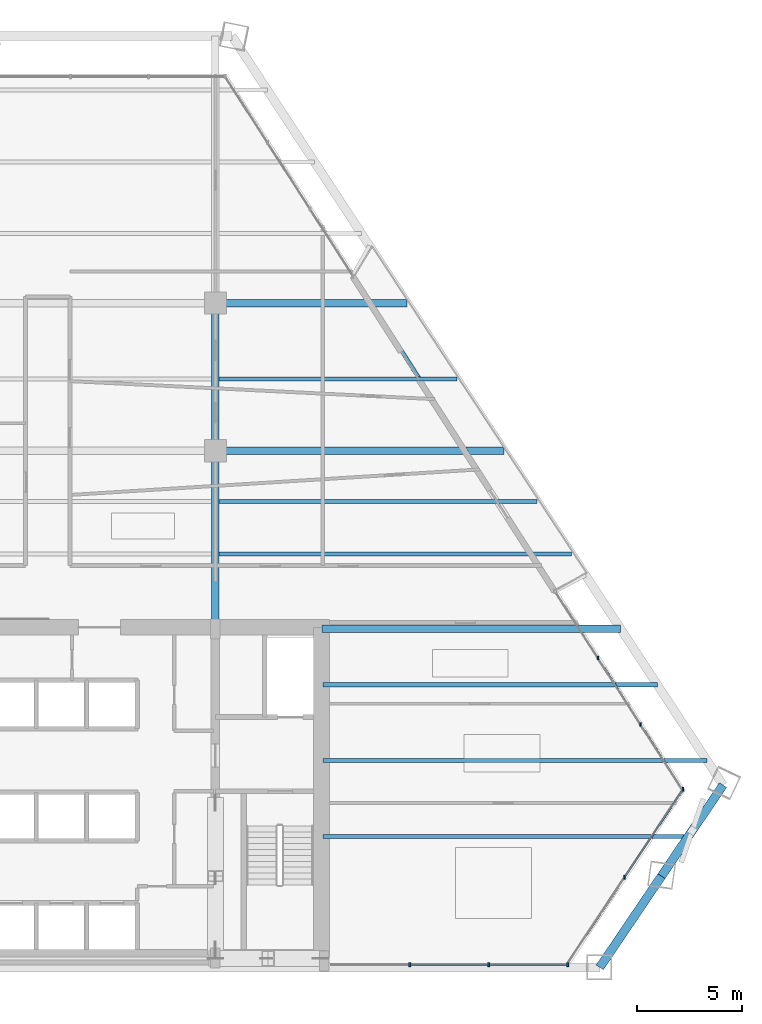
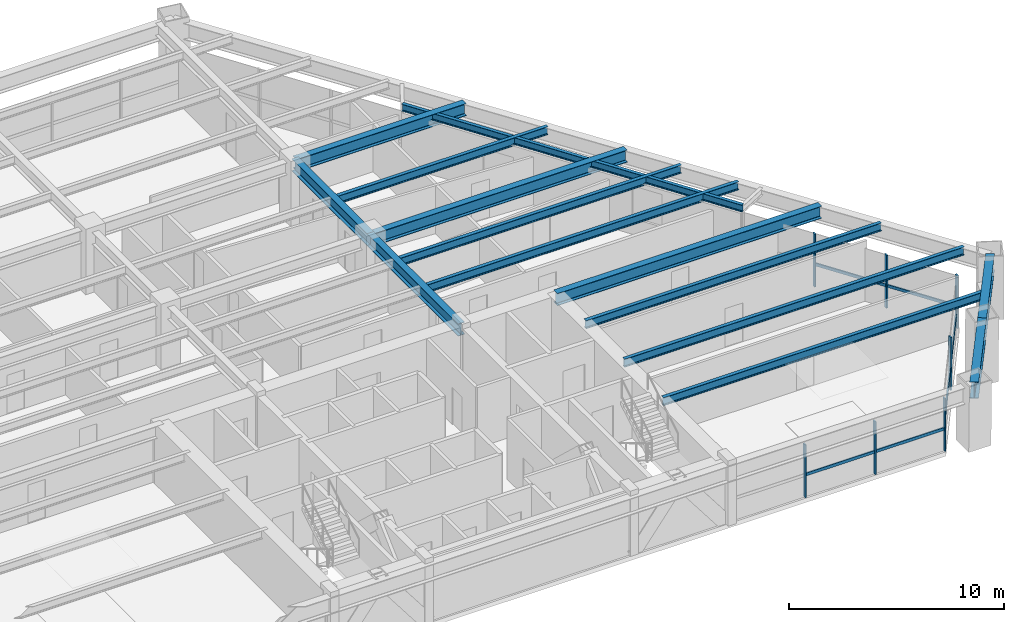
# One storey, part 6 of 14: 14 beams, 13 members, 3 elements without a shape of their own.
"""IFC4 building model written with IfcOpenShell, lengths in metres."""

from ifc_helpers import new_model, si_unit, direction, frame, origin, origin_2d, place, context, subcontext, project, spatial, rectangle, i_section, extrude, source, transform, mapped, material, material_profile, profile_set, type_object, type_shapes, element, aggregate, save


model = new_model("IFC4")

# Units and contexts
model_context = context("Model", 3, precision=1e-05, world=origin(), true_north=direction((0.0, 1.0)))
body_context = subcontext(model_context, "Body", "Model", "MODEL_VIEW")
ifc_project = project(units=[si_unit("LENGTHUNIT", "METRE"), si_unit("AREAUNIT", "SQUARE_METRE"), si_unit("VOLUMEUNIT", "CUBIC_METRE"), si_unit("PLANEANGLEUNIT", "RADIAN"), si_unit("MASSUNIT", "GRAM", prefix="KILO")], contexts=[model_context])

# Site, building, storey
site_placement = place(None, origin())
site = spatial("IfcSite", under=ifc_project, at=site_placement, CompositionType="ELEMENT")
building_placement = place(site_placement, origin())
building = spatial("IfcBuilding", under=site, at=building_placement, Name="Varnakhor Terracotta Tower", CompositionType="ELEMENT")
storey_placement = place(building_placement, frame((0.0, 0.0, 117.300048828125)))
storey = spatial("IfcBuildingStorey", under=building, at=storey_placement, Name="L29", CompositionType="ELEMENT", Elevation=117.300048828125)

# Beams
ifc_material_1 = material(Name="Steel S355", Category="steel")
ifc_material_profile_1 = material_profile(ifc_material_1, i_section(OverallWidth=0.35498046875, OverallDepth=0.695068359375, WebThickness=0.014892578125, FlangeThickness=0.02490234375, FilletRadius=0.01806640625, at=origin_2d()), Name="W27X146")
ifc_profile_set_1 = profile_set([ifc_material_profile_1], Name="Steel S355")
beam_type_1 = type_object("IfcBeamType", Name="BM-W27X146", PredefinedType="BEAM", material=ifc_profile_set_1)
shared_shape_1 = source(origin(), body_context, "Body", "SweptSolid", [
    extrude(i_section(OverallWidth=0.35498046875, OverallDepth=0.695068359375, WebThickness=0.014892578125, FlangeThickness=0.02490234375, FilletRadius=0.01806640625, at=origin_2d()), origin(), (0.0, 0.0, 1.0), 8.449951171875),
])
type_shapes(beam_type_1, [shared_shape_1])
beam_1_placement = place(storey_placement, frame((5.5, 16.050048828125, 3.072509765625), z_axis=(0.0, 1.0, 0.0), x_axis=(-1.0, 0.0, 0.0)))
element("IfcBeam", 1, at=beam_1_placement, inside=storey, type_object=beam_type_1, Name="L29 Primary Girder NS1-E", PredefinedType="BEAM", context=body_context, shape_type="MappedRepresentation", body=[
    mapped(shared_shape_1, transform((0.0, 0.0, 0.0), scale=1.0)),
])
shared_shape_2 = source(origin(), body_context, "Body", "SweptSolid", [
    extrude(i_section(OverallWidth=0.35498046875, OverallDepth=0.695068359375, WebThickness=0.014892578125, FlangeThickness=0.02490234375, FilletRadius=0.01806640625, at=origin_2d()), origin(), (0.0, 0.0, 1.0), 7.0),
])
beam_2_placement = place(storey_placement, frame((5.5, 24.5, 3.072509765625), z_axis=(0.0, 1.0, 0.0), x_axis=(-1.0, 0.0, 0.0)))
element("IfcBeam", 2, at=beam_2_placement, inside=storey, type_object=beam_type_1, Name="L29 Primary Girder NS2-E", PredefinedType="BEAM", context=body_context, shape_type="MappedRepresentation", body=[
    mapped(shared_shape_2, transform((0.0, 0.0, 0.0), scale=1.0)),
])
ifc_material_profile_2 = material_profile(ifc_material_1, i_section(OverallWidth=0.41796875, OverallDepth=0.927001953125, WebThickness=0.01904296875, FlangeThickness=0.031982421875, FilletRadius=0.01806640625, at=origin_2d()), Name="W36X231")
ifc_profile_set_2 = profile_set([ifc_material_profile_2], Name="Steel S355")
beam_type_2 = type_object("IfcBeamType", Name="BM-W36X231", PredefinedType="BEAM", material=ifc_profile_set_2)
shared_shape_3 = source(origin(), body_context, "Body", "SweptSolid", [
    extrude(i_section(OverallWidth=0.41796875, OverallDepth=0.927001953125, WebThickness=0.01904296875, FlangeThickness=0.031982421875, FilletRadius=0.01806640625, at=origin_2d()), origin(), (0.0, 0.0, 1.0), 5.218017578125),
])
for number, where, z_axis, x_axis, name in (
    (3, (23.727783203125, 0.0, 2.95654296875), (0.560183799269, 0.828368342609, 0.0), (-0.828368342609, 0.560183799269, 0.0), "L29 Perimeter Spandrel 2"),
    (4, (26.65087890625, 4.322509765625, 2.95654296875), (0.560205511007, 0.828353659639, 0.0), (-0.828353659639, 0.560205511007, 0.0), "L29 Perimeter Spandrel 3"),
):
    element("IfcBeam", number, at=place(storey_placement, frame(where, z_axis=z_axis, x_axis=x_axis)), inside=storey, type_object=beam_type_2, Name=name, PredefinedType="BEAM", context=body_context, shape_type="MappedRepresentation", body=[
        mapped(shared_shape_3, transform((0.0, 0.0, 0.0), scale=1.0)),
    ])
ifc_material_profile_3 = material_profile(ifc_material_1, i_section(OverallWidth=0.179931640625, OverallDepth=0.39990234375, WebThickness=0.008544921875, FlangeThickness=0.013427734375, FilletRadius=0.01806640625, at=origin_2d()), Name="IPE400")
ifc_profile_set_3 = profile_set([ifc_material_profile_3], Name="Steel S355")
beam_type_3 = type_object("IfcBeamType", Name="JST-IPE400", PredefinedType="JOIST", material=ifc_profile_set_3)
shared_shape_4 = source(origin(), body_context, "Body", "SweptSolid", [
    extrude(i_section(OverallWidth=0.179931640625, OverallDepth=0.39990234375, WebThickness=0.008544921875, FlangeThickness=0.013427734375, FilletRadius=0.01806640625, at=origin_2d()), origin(), (0.0, 0.0, 1.0), 17.804931640625),
])
beam_3_placement = place(storey_placement, frame((21.624755859375, 17.835693359375, 3.219970703125), z_axis=(-0.539156415793, 0.842205651435, 0.0), x_axis=(-0.842205651435, -0.539156415793, 0.0)))
element("IfcBeam", 5, at=beam_3_placement, inside=storey, type_object=beam_type_3, Name="L29 Loggia Edge Beam 1", PredefinedType="JOIST", context=body_context, shape_type="MappedRepresentation", body=[
    mapped(shared_shape_4, transform((0.0, 0.0, 0.0), scale=1.0)),
])
shared_shape_5 = source(origin(), body_context, "Body", "SweptSolid", [
    extrude(i_section(OverallWidth=0.35498046875, OverallDepth=0.695068359375, WebThickness=0.014892578125, FlangeThickness=0.02490234375, FilletRadius=0.01806640625, at=origin_2d()), origin(), (0.0, 0.0, 1.0), 14.16796875),
])
beam_4_placement = place(storey_placement, frame((10.550048828125, 16.050048828125, 3.072509765625), z_axis=(1.0, 0.0, 0.0), x_axis=(0.0, 1.0, 0.0)))
element("IfcBeam", 6, at=beam_4_placement, inside=storey, type_object=beam_type_1, Name="L29 Wing Girder E", PredefinedType="BEAM", context=body_context, shape_type="MappedRepresentation", body=[
    mapped(shared_shape_5, transform((0.0, 0.0, 0.0), scale=1.0)),
])
shared_shape_6 = source(origin(), body_context, "Body", "SweptSolid", [
    extrude(i_section(OverallWidth=0.35498046875, OverallDepth=0.695068359375, WebThickness=0.014892578125, FlangeThickness=0.02490234375, FilletRadius=0.01806640625, at=origin_2d()), origin(), (0.0, 0.0, 1.0), 13.677001953125),
])
beam_5_placement = place(storey_placement, frame((5.5, 24.5, 3.072509765625), z_axis=(1.0, 0.0, 0.0), x_axis=(0.0, 1.0, 0.0)))
element("IfcBeam", 7, at=beam_5_placement, inside=storey, type_object=beam_type_1, Name="L29 Primary Girder EW2-3", PredefinedType="BEAM", context=body_context, shape_type="MappedRepresentation", body=[
    mapped(shared_shape_6, transform((0.0, 0.0, 0.0), scale=1.0)),
])
shared_shape_7 = source(origin(), body_context, "Body", "SweptSolid", [
    extrude(i_section(OverallWidth=0.35498046875, OverallDepth=0.695068359375, WebThickness=0.014892578125, FlangeThickness=0.02490234375, FilletRadius=0.01806640625, at=origin_2d()), origin(), (0.0, 0.0, 1.0), 9.0869140625),
])
beam_6_placement = place(storey_placement, frame((5.5, 31.5, 3.072509765625), z_axis=(1.0, 0.0, 0.0), x_axis=(0.0, 1.0, 0.0)))
element("IfcBeam", 8, at=beam_6_placement, inside=storey, type_object=beam_type_1, Name="L29 Primary Girder EW3-3", PredefinedType="BEAM", context=body_context, shape_type="MappedRepresentation", body=[
    mapped(shared_shape_7, transform((0.0, 0.0, 0.0), scale=1.0)),
])
ifc_material_profile_4 = material_profile(ifc_material_1, i_section(OverallWidth=0.19189453125, OverallDepth=0.462890625, WebThickness=0.010498046875, FlangeThickness=0.017578125, FilletRadius=0.01806640625, at=origin_2d()), Name="W18X60")
ifc_profile_set_4 = profile_set([ifc_material_profile_4], Name="Steel S355")
beam_type_4 = type_object("IfcBeamType", Name="JST-W18X60", PredefinedType="JOIST", material=ifc_profile_set_4)
shared_shape_8 = source(origin(), body_context, "Body", "SweptSolid", [
    extrude(i_section(OverallWidth=0.19189453125, OverallDepth=0.462890625, WebThickness=0.010498046875, FlangeThickness=0.017578125, FilletRadius=0.01806640625, at=origin_2d()), origin(), (0.0, 0.0, 1.0), 17.320556640625),
])
beam_7_placement = place(storey_placement, frame((10.60009765625, 6.199951171875, 3.1884765625), z_axis=(1.0, 0.0, 0.0), x_axis=(0.0, 1.0, 0.0)))
element("IfcBeam", 9, at=beam_7_placement, inside=storey, type_object=beam_type_4, Name="L29 Floor Joist E1", PredefinedType="JOIST", context=body_context, shape_type="MappedRepresentation", body=[
    mapped(shared_shape_8, transform((0.0, 0.0, 0.0), scale=1.0)),
])
shared_shape_9 = source(origin(), body_context, "Body", "SweptSolid", [
    extrude(i_section(OverallWidth=0.19189453125, OverallDepth=0.462890625, WebThickness=0.010498046875, FlangeThickness=0.017578125, FilletRadius=0.01806640625, at=origin_2d()), origin(), (0.0, 0.0, 1.0), 18.21630859375),
])
beam_8_placement = place(storey_placement, frame((10.60009765625, 9.800048828125, 3.1884765625), z_axis=(1.0, 0.0, 0.0), x_axis=(0.0, 1.0, 0.0)))
element("IfcBeam", 10, at=beam_8_placement, inside=storey, type_object=beam_type_4, Name="L29 Floor Joist E2", PredefinedType="JOIST", context=body_context, shape_type="MappedRepresentation", body=[
    mapped(shared_shape_9, transform((0.0, 0.0, 0.0), scale=1.0)),
])
shared_shape_10 = source(origin(), body_context, "Body", "SweptSolid", [
    extrude(i_section(OverallWidth=0.19189453125, OverallDepth=0.462890625, WebThickness=0.010498046875, FlangeThickness=0.017578125, FilletRadius=0.01806640625, at=origin_2d()), origin(), (0.0, 0.0, 1.0), 15.855712890625),
])
beam_9_placement = place(storey_placement, frame((10.60009765625, 13.39990234375, 3.1884765625), z_axis=(1.0, 0.0, 0.0), x_axis=(0.0, 1.0, 0.0)))
element("IfcBeam", 11, at=beam_9_placement, inside=storey, type_object=beam_type_4, Name="L29 Floor Joist E3", PredefinedType="JOIST", context=body_context, shape_type="MappedRepresentation", body=[
    mapped(shared_shape_10, transform((0.0, 0.0, 0.0), scale=1.0)),
])
shared_shape_11 = source(origin(), body_context, "Body", "SweptSolid", [
    extrude(i_section(OverallWidth=0.19189453125, OverallDepth=0.462890625, WebThickness=0.010498046875, FlangeThickness=0.017578125, FilletRadius=0.01806640625, at=origin_2d()), origin(), (0.0, 0.0, 1.0), 16.716552734375),
])
beam_10_placement = place(storey_placement, frame((5.673583984375, 19.60009765625, 3.1884765625), z_axis=(1.0, 0.0, 0.0), x_axis=(0.0, 1.0, 0.0)))
element("IfcBeam", 12, at=beam_10_placement, inside=storey, type_object=beam_type_4, Name="L29 Composite Floor Joist 4-3", PredefinedType="JOIST", context=body_context, shape_type="MappedRepresentation", body=[
    mapped(shared_shape_11, transform((0.0, 0.0, 0.0), scale=1.0)),
])
shared_shape_12 = source(origin(), body_context, "Body", "SweptSolid", [
    extrude(i_section(OverallWidth=0.19189453125, OverallDepth=0.462890625, WebThickness=0.010498046875, FlangeThickness=0.017578125, FilletRadius=0.01806640625, at=origin_2d()), origin(), (0.0, 0.0, 1.0), 15.077392578125),
])
beam_11_placement = place(storey_placement, frame((5.673583984375, 22.10009765625, 3.1884765625), z_axis=(1.0, 0.0, 0.0), x_axis=(0.0, 1.0, 0.0)))
element("IfcBeam", 13, at=beam_11_placement, inside=storey, type_object=beam_type_4, Name="L29 Composite Floor Joist 5-3", PredefinedType="JOIST", context=body_context, shape_type="MappedRepresentation", body=[
    mapped(shared_shape_12, transform((0.0, 0.0, 0.0), scale=1.0)),
])
shared_shape_13 = source(origin(), body_context, "Body", "SweptSolid", [
    extrude(i_section(OverallWidth=0.19189453125, OverallDepth=0.462890625, WebThickness=0.010498046875, FlangeThickness=0.017578125, FilletRadius=0.01806640625, at=origin_2d()), origin(), (0.0, 0.0, 1.0), 11.27392578125),
])
beam_12_placement = place(storey_placement, frame((5.673583984375, 27.89990234375, 3.1884765625), z_axis=(1.0, 0.0, 0.0), x_axis=(0.0, 1.0, 0.0)))
element("IfcBeam", 14, at=beam_12_placement, inside=storey, type_object=beam_type_4, Name="L29 Composite Floor Joist 6-3", PredefinedType="JOIST", context=body_context, shape_type="MappedRepresentation", body=[
    mapped(shared_shape_13, transform((0.0, 0.0, 0.0), scale=1.0)),
])

# Curtain wall, members
ifc_material_2 = material(Name="Anodised Aluminium Curtain Wall System", Category="aluminium")
curtain_wall_type = type_object("IfcCurtainWallType", Name="CW-SYS-LOW-OFFICE", PredefinedType="NOTDEFINED", material=ifc_material_2)
curtain_wall_1_placement = place(storey_placement, origin())
curtain_wall_1 = element("IfcCurtainWall", 15, at=curtain_wall_1_placement, inside=storey, type_object=curtain_wall_type, Name="L29 E Facet Curtain Wall 2", PredefinedType="NOTDEFINED")
ifc_material_3 = material(Name="Anodised Aluminium 6063-T6", Category="aluminium")
ifc_material_profile_5 = material_profile(ifc_material_3, rectangle(XDim=0.074951171875, YDim=0.18505859375, at=origin_2d()), Name="ALU MULLION 75x185")
ifc_profile_set_5 = profile_set([ifc_material_profile_5], Name="Anodised Aluminium 6063-T6")
member_type_1 = type_object("IfcMemberType", Name="CWM-02", PredefinedType="MULLION", material=ifc_profile_set_5)
shared_shape_14 = source(origin(), body_context, "Body", "SweptSolid", [
    extrude(rectangle(XDim=0.074951171875, YDim=0.18505859375, at=origin_2d()), origin(), (0.0, 0.0, 1.0), 3.0),
])
member_1_placement = place(storey_placement, frame((23.635009765625, 14.6689453125, 0.0), z_axis=(0.0, 0.0, 1.0), x_axis=(1.0, 0.0, 0.0)))
member_1 = element("IfcMember", 16, at=member_1_placement, type_object=member_type_1, Name="L29 E Facet Curtain Wall 2 Mullion 2", PredefinedType="MULLION", context=body_context, shape_type="MappedRepresentation", body=[
    mapped(shared_shape_14, transform((0.0, 0.0, 0.0), scale=1.0)),
])
member_2_placement = place(storey_placement, frame((25.655029296875, 11.51708984375, 0.0), z_axis=(0.0, 0.0, 1.0), x_axis=(1.0, 0.0, 0.0)))
member_2 = element("IfcMember", 17, at=member_2_placement, type_object=member_type_1, Name="L29 E Facet Curtain Wall 2 Mullion 3", PredefinedType="MULLION", context=body_context, shape_type="MappedRepresentation", body=[
    mapped(shared_shape_14, transform((0.0, 0.0, 0.0), scale=1.0)),
])

curtain_wall_2_placement = place(storey_placement, origin())
curtain_wall_2 = element("IfcCurtainWall", 18, at=curtain_wall_2_placement, inside=storey, type_object=curtain_wall_type, Name="L29 Facet Curtain Wall 4", PredefinedType="NOTDEFINED")
member_3_placement = place(storey_placement, frame((27.67578125, 8.4462890625, 0.0), z_axis=(0.0, 0.0, 1.0), x_axis=(1.0, 0.0, 0.0)))
member_3 = element("IfcMember", 19, at=member_3_placement, type_object=member_type_1, Name="L29 Facet Curtain Wall 4 Mullion 1", PredefinedType="MULLION", context=body_context, shape_type="MappedRepresentation", body=[
    mapped(shared_shape_14, transform((0.0, 0.0, 0.0), scale=1.0)),
])
member_4_placement = place(storey_placement, frame((24.904296875, 4.268798828125, 0.0), z_axis=(0.0, 0.0, 1.0), x_axis=(1.0, 0.0, 0.0)))
member_4 = element("IfcMember", 20, at=member_4_placement, type_object=member_type_1, Name="L29 Facet Curtain Wall 4 Mullion 2", PredefinedType="MULLION", context=body_context, shape_type="MappedRepresentation", body=[
    mapped(shared_shape_14, transform((0.0, 0.0, 0.0), scale=1.0)),
])

curtain_wall_3_placement = place(storey_placement, origin())
curtain_wall_3 = element("IfcCurtainWall", 21, at=curtain_wall_3_placement, inside=storey, type_object=curtain_wall_type, Name="L29 South Wing Curtain Wall SSE", PredefinedType="NOTDEFINED")
member_5_placement = place(storey_placement, frame((22.206298828125, 0.1201171875, 0.0), z_axis=(0.0, 0.0, 1.0), x_axis=(1.0, 0.0, 0.0)))
member_5 = element("IfcMember", 22, at=member_5_placement, type_object=member_type_1, Name="L29 South Wing Curtain Wall SSE Mullion 1", PredefinedType="MULLION", context=body_context, shape_type="MappedRepresentation", body=[
    mapped(shared_shape_14, transform((0.0, 0.0, 0.0), scale=1.0)),
])
member_6_placement = place(storey_placement, frame((18.460693359375, 0.1201171875, 0.0), z_axis=(0.0, 0.0, 1.0), x_axis=(1.0, 0.0, 0.0)))
member_6 = element("IfcMember", 23, at=member_6_placement, type_object=member_type_1, Name="L29 South Wing Curtain Wall SSE Mullion 2", PredefinedType="MULLION", context=body_context, shape_type="MappedRepresentation", body=[
    mapped(shared_shape_14, transform((0.0, 0.0, 0.0), scale=1.0)),
])
member_7_placement = place(storey_placement, frame((14.71533203125, 0.1201171875, 0.0), z_axis=(0.0, 0.0, 1.0), x_axis=(1.0, 0.0, 0.0)))
member_7 = element("IfcMember", 24, at=member_7_placement, type_object=member_type_1, Name="L29 South Wing Curtain Wall SSE Mullion 3", PredefinedType="MULLION", context=body_context, shape_type="MappedRepresentation", body=[
    mapped(shared_shape_14, transform((0.0, 0.0, 0.0), scale=1.0)),
])

# Member
ifc_material_profile_6 = material_profile(ifc_material_3, rectangle(XDim=0.074951171875, YDim=0.1650390625, at=origin_2d()), Name="ALU TRANSOM 75x165")
ifc_profile_set_6 = profile_set([ifc_material_profile_6], Name="Anodised Aluminium 6063-T6")
member_type_2 = type_object("IfcMemberType", Name="CWT-02", PredefinedType="USERDEFINED", material=ifc_profile_set_6)
shared_shape_15 = source(origin(), body_context, "Body", "SweptSolid", [
    extrude(rectangle(XDim=0.074951171875, YDim=0.1650390625, at=origin_2d()), origin(), (0.0, 0.0, 1.0), 3.743408203125),
])
member_8_placement = place(storey_placement, frame((25.655029296875, 11.51708984375, 1.260009765625), z_axis=(0.539619889438, -0.841908768765, 0.0), x_axis=(0.841908768765, 0.539619889438, 0.0)))
member_8 = element("IfcMember", 25, at=member_8_placement, type_object=member_type_2, Name="L29 E Facet Curtain Wall 2 Transom 3", ObjectType="TRANSOM", PredefinedType="USERDEFINED", context=body_context, shape_type="MappedRepresentation", body=[
    mapped(shared_shape_15, transform((0.0, 0.0, 0.0), scale=1.0)),
])

shared_shape_16 = source(origin(), body_context, "Body", "SweptSolid", [
    extrude(rectangle(XDim=0.074951171875, YDim=0.1650390625, at=origin_2d()), origin(), (0.0, 0.0, 1.0), 3.74365234375),
])
member_9_placement = place(storey_placement, frame((23.635009765625, 14.6689453125, 1.260009765625), z_axis=(0.539590261157, -0.841927758222, 0.0), x_axis=(0.841927758222, 0.539590261157, 0.0)))
member_9 = element("IfcMember", 26, at=member_9_placement, type_object=member_type_2, Name="L29 E Facet Curtain Wall 2 Transom 2", ObjectType="TRANSOM", PredefinedType="USERDEFINED", context=body_context, shape_type="MappedRepresentation", body=[
    mapped(shared_shape_16, transform((0.0, 0.0, 0.0), scale=1.0)),
])

aggregate(curtain_wall_1, [member_1, member_9, member_2, member_8])

shared_shape_17 = source(origin(), body_context, "Body", "SweptSolid", [
    extrude(rectangle(XDim=0.074951171875, YDim=0.1650390625, at=origin_2d()), origin(), (0.0, 0.0, 1.0), 5.01318359375),
])
member_10_placement = place(storey_placement, frame((27.67578125, 8.4462890625, 1.260009765625), z_axis=(-0.552833248228, -0.833291905429, 0.0), x_axis=(0.833291905429, -0.552833248228, 0.0)))
member_10 = element("IfcMember", 27, at=member_10_placement, type_object=member_type_2, Name="L29 Facet Curtain Wall 4 Transom 1", ObjectType="TRANSOM", PredefinedType="USERDEFINED", context=body_context, shape_type="MappedRepresentation", body=[
    mapped(shared_shape_17, transform((0.0, 0.0, 0.0), scale=1.0)),
])

member_11_placement = place(storey_placement, frame((24.904296875, 4.268798828125, 1.260009765625), z_axis=(-0.552833248228, -0.833291905429, 0.0), x_axis=(0.833291905429, -0.552833248228, 0.0)))
member_11 = element("IfcMember", 28, at=member_11_placement, type_object=member_type_2, Name="L29 Facet Curtain Wall 4 Transom 2", ObjectType="TRANSOM", PredefinedType="USERDEFINED", context=body_context, shape_type="MappedRepresentation", body=[
    mapped(shared_shape_17, transform((0.0, 0.0, 0.0), scale=1.0)),
])

aggregate(curtain_wall_2, [member_3, member_10, member_4, member_11])

shared_shape_18 = source(origin(), body_context, "Body", "SweptSolid", [
    extrude(rectangle(XDim=0.074951171875, YDim=0.1650390625, at=origin_2d()), origin(), (0.0, 0.0, 1.0), 3.74560546875),
])
member_12_placement = place(storey_placement, frame((22.206298828125, 0.1201171875, 1.260009765625), z_axis=(-1.0, 0.0, 0.0), x_axis=(0.0, -1.0, 0.0)))
member_12 = element("IfcMember", 29, at=member_12_placement, type_object=member_type_2, Name="L29 South Wing Curtain Wall SSE Transom 1", ObjectType="TRANSOM", PredefinedType="USERDEFINED", context=body_context, shape_type="MappedRepresentation", body=[
    mapped(shared_shape_18, transform((0.0, 0.0, 0.0), scale=1.0)),
])

shared_shape_19 = source(origin(), body_context, "Body", "SweptSolid", [
    extrude(rectangle(XDim=0.074951171875, YDim=0.1650390625, at=origin_2d()), origin(), (0.0, 0.0, 1.0), 3.745361328125),
])
member_13_placement = place(storey_placement, frame((18.460693359375, 0.1201171875, 1.260009765625), z_axis=(-1.0, 0.0, 0.0), x_axis=(0.0, -1.0, 0.0)))
member_13 = element("IfcMember", 30, at=member_13_placement, type_object=member_type_2, Name="L29 South Wing Curtain Wall SSE Transom 2", ObjectType="TRANSOM", PredefinedType="USERDEFINED", context=body_context, shape_type="MappedRepresentation", body=[
    mapped(shared_shape_19, transform((0.0, 0.0, 0.0), scale=1.0)),
])

aggregate(curtain_wall_3, [member_5, member_12, member_6, member_13, member_7])

save(model, "model.ifc")
